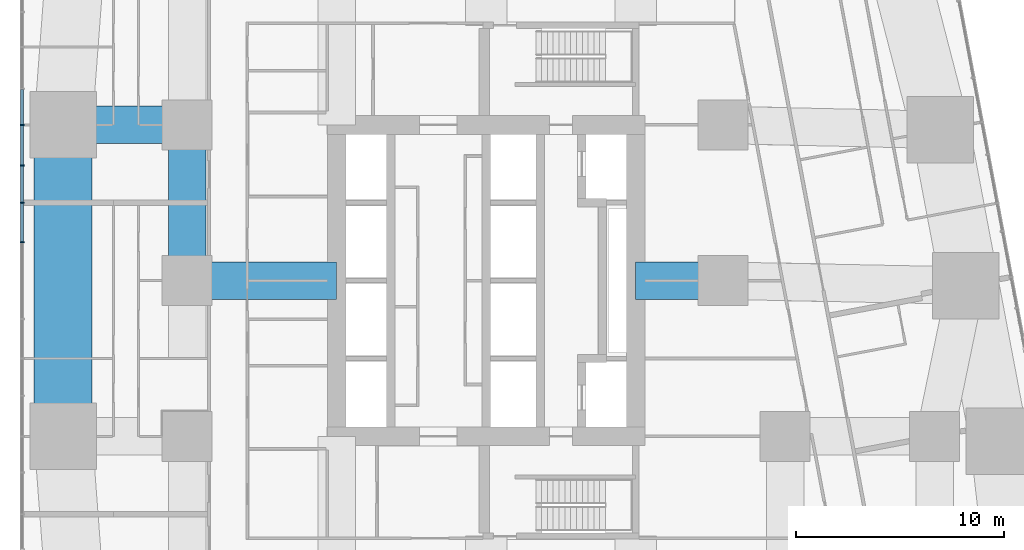
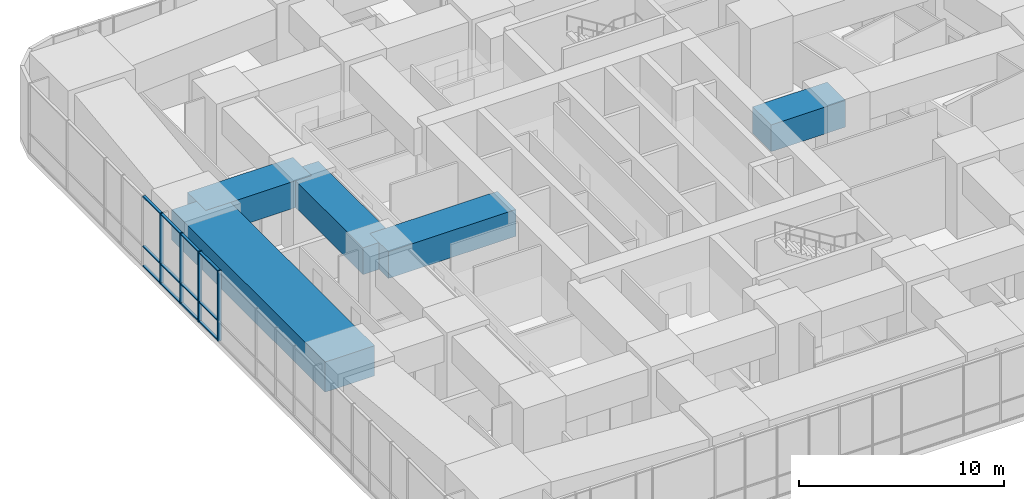
# One storey, part 4 of 22: 16 members, 5 beams, 1 element without a shape of its own.
"""IFC4 building model written with IfcOpenShell, lengths in metres."""

from ifc_helpers import new_model, si_unit, direction, frame, origin, origin_2d, place, context, subcontext, project, spatial, rectangle, extrude, material, material_profile, profile_set, type_object, element, aggregate, save


model = new_model("IFC4")

# Units and contexts
model_context = context("Model", 3, precision=1e-05, world=origin(), true_north=direction((0.0, 1.0)))
body_context = subcontext(model_context, "Body", "Model", "MODEL_VIEW")
ifc_project = project(units=[si_unit("LENGTHUNIT", "METRE"), si_unit("AREAUNIT", "SQUARE_METRE"), si_unit("VOLUMEUNIT", "CUBIC_METRE"), si_unit("PLANEANGLEUNIT", "RADIAN"), si_unit("MASSUNIT", "GRAM", prefix="KILO")], contexts=[model_context])

# Site, building, storey
site_placement = place(None, origin())
site = spatial("IfcSite", under=ifc_project, at=site_placement, CompositionType="ELEMENT")
building_placement = place(site_placement, origin())
building = spatial("IfcBuilding", under=site, at=building_placement, Name="Sheger Commons Tower", CompositionType="ELEMENT")
storey_placement = place(building_placement, frame((0.0, 0.0, 10.10009765625)))
storey = spatial("IfcBuildingStorey", under=building, at=storey_placement, Name="L02", CompositionType="ELEMENT", Elevation=10.10009765625)

# Beams
ifc_material_1 = material(Name="Concrete C50/60", Category="concrete")
ifc_material_profile_1 = material_profile(ifc_material_1, rectangle(XDim=1.800048828125, YDim=1.60009765625, at=origin_2d()), Name="RC 1800x1600")
ifc_profile_set_1 = profile_set([ifc_material_profile_1], Name="Concrete C50/60")
beam_type_1 = type_object("IfcBeamType", Name="BEAM RC 1800x1600", PredefinedType="BEAM", material=ifc_profile_set_1)
beam_1_placement = place(storey_placement, frame((7.199951171875, 22.5, 3.39990234375), z_axis=(1.0, 0.0, 0.0), x_axis=(0.0, 1.0, 0.0)))
element("IfcBeam", 1, at=beam_1_placement, inside=storey, type_object=beam_type_1, Name="Beam 2/D-3/D under L03", PredefinedType="BEAM", context=body_context, shape_type="SweptSolid", body=[
    extrude(rectangle(XDim=1.800048828125, YDim=1.60009765625, at=origin_2d()), origin(), (0.0, 0.0, 1.0), 7.199951171875),
])
beam_2_placement = place(storey_placement, frame((28.800048828125, 22.5, 3.39990234375), z_axis=(1.0, 0.0, 0.0), x_axis=(0.0, 1.0, 0.0)))
element("IfcBeam", 2, at=beam_2_placement, inside=storey, type_object=beam_type_1, Name="Beam 5/D-6-3000/D under L03", PredefinedType="BEAM", context=body_context, shape_type="SweptSolid", body=[
    extrude(rectangle(XDim=1.800048828125, YDim=1.60009765625, at=origin_2d()), origin(), (0.0, 0.0, 1.0), 4.199951171875),
])
beam_3_placement = place(storey_placement, frame((1.22509765625, 30.0, 3.39990234375), z_axis=(1.0, 0.0, 0.0), x_axis=(0.0, 1.0, 0.0)))
element("IfcBeam", 3, at=beam_3_placement, inside=storey, type_object=beam_type_1, Name="Beam 1/E-2/E under L03", PredefinedType="BEAM", context=body_context, shape_type="SweptSolid", body=[
    extrude(rectangle(XDim=1.800048828125, YDim=1.60009765625, at=origin_2d()), origin(), (0.0, 0.0, 1.0), 5.974853515625),
])
beam_4_placement = place(storey_placement, frame((7.199951171875, 22.5, 3.39990234375), z_axis=(0.0, 1.0, 0.0), x_axis=(-1.0, 0.0, 0.0)))
element("IfcBeam", 4, at=beam_4_placement, inside=storey, type_object=beam_type_1, Name="Beam 2/D-2/E under L03", PredefinedType="BEAM", context=body_context, shape_type="SweptSolid", body=[
    extrude(rectangle(XDim=1.800048828125, YDim=1.60009765625, at=origin_2d()), origin(), (0.0, 0.0, 1.0), 7.5),
])

# Curtain wall, members
ifc_material_2 = material(Name="Black aluminium curtain wall, dark tinted glazing", Category="aluminium")
curtain_wall_type = type_object("IfcCurtainWallType", Name="CURTAIN WALL CW2 HEALTH CENTRE", PredefinedType="USERDEFINED", material=ifc_material_2)
curtain_wall_placement = place(storey_placement, origin())
curtain_wall = element("IfcCurtainWall", 5, at=curtain_wall_placement, inside=storey, type_object=curtain_wall_type, Name="Curtain Wall Cw2 Health Centre W1 L02", ObjectType="STICK CURTAIN WALL", PredefinedType="USERDEFINED")
ifc_material_3 = material(Name="Black anodised aluminium", Category="aluminium")
ifc_material_profile_2 = material_profile(ifc_material_3, rectangle(XDim=0.199951171875, YDim=0.06494140625, at=origin_2d()), Name="AL 65x200")
ifc_profile_set_2 = profile_set([ifc_material_profile_2], Name="Black anodised aluminium")
member_type_1 = type_object("IfcMemberType", Name="MULLION AL 65x200", PredefinedType="MULLION", material=ifc_profile_set_2)
member_1_placement = place(storey_placement, frame((-0.75, 30.0, 0.0), z_axis=(0.0, 0.0, 1.0), x_axis=(1.0, 0.0, 0.0)))
member_1 = element("IfcMember", 6, at=member_1_placement, type_object=member_type_1, Name="CW2 mullion 6", PredefinedType="MULLION", context=body_context, shape_type="SweptSolid", body=[
    extrude(rectangle(XDim=0.199951171875, YDim=0.06494140625, at=origin_2d()), origin(), (0.0, 0.0, 1.0), 4.199951171875),
])
member_2_placement = place(storey_placement, frame((-0.75, 28.0458984375, 0.0), z_axis=(0.0, 0.0, 1.0), x_axis=(1.0, 0.0, 0.0)))
member_2 = element("IfcMember", 7, at=member_2_placement, type_object=member_type_1, Name="CW2 mullion 7", PredefinedType="MULLION", context=body_context, shape_type="SweptSolid", body=[
    extrude(rectangle(XDim=0.199951171875, YDim=0.06494140625, at=origin_2d()), origin(), (0.0, 0.0, 1.0), 4.199951171875),
])
member_3_placement = place(storey_placement, frame((-0.75, 26.25, 0.0), z_axis=(0.0, 0.0, 1.0), x_axis=(1.0, 0.0, 0.0)))
member_3 = element("IfcMember", 8, at=member_3_placement, type_object=member_type_1, Name="CW2 mullion 8", PredefinedType="MULLION", context=body_context, shape_type="SweptSolid", body=[
    extrude(rectangle(XDim=0.199951171875, YDim=0.06494140625, at=origin_2d()), origin(), (0.0, 0.0, 1.0), 4.199951171875),
])
member_4_placement = place(storey_placement, frame((-0.75, 24.34912109375, 0.0), z_axis=(0.0, 0.0, 1.0), x_axis=(1.0, 0.0, 0.0)))
member_4 = element("IfcMember", 9, at=member_4_placement, type_object=member_type_1, Name="CW2 mullion 9", PredefinedType="MULLION", context=body_context, shape_type="SweptSolid", body=[
    extrude(rectangle(XDim=0.199951171875, YDim=0.06494140625, at=origin_2d()), origin(), (0.0, 0.0, 1.0), 4.199951171875),
])

# Beam
ifc_material_4 = material(Name="Concrete C50/60", Category="concrete")
ifc_material_profile_3 = material_profile(ifc_material_4, rectangle(XDim=2.800048828125, YDim=1.800048828125, at=origin_2d()), Name="RC 2800x1800")
ifc_profile_set_3 = profile_set([ifc_material_profile_3], Name="Concrete C50/60")
beam_type_2 = type_object("IfcBeamType", Name="SPANDREL RC 2800x1800", PredefinedType="SPANDREL", material=ifc_profile_set_3)
beam_5_placement = place(storey_placement, frame((1.22509765625, 30.0, 3.2998046875), z_axis=(0.0, -1.0, 0.0), x_axis=(1.0, 0.0, 0.0)))
element("IfcBeam", 10, at=beam_5_placement, inside=storey, type_object=beam_type_2, Name="Beam 1/E-1/C under L03", PredefinedType="SPANDREL", context=body_context, shape_type="SweptSolid", body=[
    extrude(rectangle(XDim=2.800048828125, YDim=1.800048828125, at=origin_2d()), origin(), (0.0, 0.0, 1.0), 15.0),
])

# Member
ifc_material_5 = material(Name="Black anodised aluminium", Category="aluminium")
ifc_material_profile_4 = material_profile(ifc_material_5, rectangle(XDim=0.14990234375, YDim=0.06494140625, at=origin_2d()), Name="AL 65x150")
ifc_profile_set_4 = profile_set([ifc_material_profile_4], Name="Black anodised aluminium")
member_type_2 = type_object("IfcMemberType", Name="TRANSOM AL 65x150", PredefinedType="USERDEFINED", material=ifc_profile_set_4)
member_5_placement = place(storey_placement, frame((-0.75, 31.71142578125, 0.032470703125), z_axis=(0.0, -1.0, 0.0), x_axis=(1.0, 0.0, 0.0)))
member_5 = element("IfcMember", 11, at=member_5_placement, type_object=member_type_2, Name="CW2 transom 5.1", ObjectType="TRANSOM", PredefinedType="USERDEFINED", context=body_context, shape_type="SweptSolid", body=[
    extrude(rectangle(XDim=0.14990234375, YDim=0.06494140625, at=origin_2d()), origin(), (0.0, 0.0, 1.0), 1.678955078125),
])

member_6_placement = place(storey_placement, frame((-0.75, 31.71142578125, 1.199951171875), z_axis=(0.0, -1.0, 0.0), x_axis=(1.0, 0.0, 0.0)))
member_6 = element("IfcMember", 12, at=member_6_placement, type_object=member_type_2, Name="CW2 transom 5.2", ObjectType="TRANSOM", PredefinedType="USERDEFINED", context=body_context, shape_type="SweptSolid", body=[
    extrude(rectangle(XDim=0.14990234375, YDim=0.06494140625, at=origin_2d()), origin(), (0.0, 0.0, 1.0), 1.678955078125),
])

member_7_placement = place(storey_placement, frame((-0.75, 31.71142578125, 4.16748046875), z_axis=(0.0, -1.0, 0.0), x_axis=(1.0, 0.0, 0.0)))
member_7 = element("IfcMember", 13, at=member_7_placement, type_object=member_type_2, Name="CW2 transom 5.3", ObjectType="TRANSOM", PredefinedType="USERDEFINED", context=body_context, shape_type="SweptSolid", body=[
    extrude(rectangle(XDim=0.14990234375, YDim=0.06494140625, at=origin_2d()), origin(), (0.0, 0.0, 1.0), 1.678955078125),
])

member_8_placement = place(storey_placement, frame((-0.75, 29.967529296875, 0.032470703125), z_axis=(0.0, -1.0, 0.0), x_axis=(1.0, 0.0, 0.0)))
member_8 = element("IfcMember", 14, at=member_8_placement, type_object=member_type_2, Name="CW2 transom 6.1", ObjectType="TRANSOM", PredefinedType="USERDEFINED", context=body_context, shape_type="SweptSolid", body=[
    extrude(rectangle(XDim=0.14990234375, YDim=0.06494140625, at=origin_2d()), origin(), (0.0, 0.0, 1.0), 1.888916015625),
])

member_9_placement = place(storey_placement, frame((-0.75, 29.967529296875, 1.199951171875), z_axis=(0.0, -1.0, 0.0), x_axis=(1.0, 0.0, 0.0)))
member_9 = element("IfcMember", 15, at=member_9_placement, type_object=member_type_2, Name="CW2 transom 6.2", ObjectType="TRANSOM", PredefinedType="USERDEFINED", context=body_context, shape_type="SweptSolid", body=[
    extrude(rectangle(XDim=0.14990234375, YDim=0.06494140625, at=origin_2d()), origin(), (0.0, 0.0, 1.0), 1.888916015625),
])

member_10_placement = place(storey_placement, frame((-0.75, 29.967529296875, 4.16748046875), z_axis=(0.0, -1.0, 0.0), x_axis=(1.0, 0.0, 0.0)))
member_10 = element("IfcMember", 16, at=member_10_placement, type_object=member_type_2, Name="CW2 transom 6.3", ObjectType="TRANSOM", PredefinedType="USERDEFINED", context=body_context, shape_type="SweptSolid", body=[
    extrude(rectangle(XDim=0.14990234375, YDim=0.06494140625, at=origin_2d()), origin(), (0.0, 0.0, 1.0), 1.888916015625),
])

member_11_placement = place(storey_placement, frame((-0.75, 28.013427734375, 0.032470703125), z_axis=(0.0, -1.0, 0.0), x_axis=(1.0, 0.0, 0.0)))
member_11 = element("IfcMember", 17, at=member_11_placement, type_object=member_type_2, Name="CW2 transom 7.1", ObjectType="TRANSOM", PredefinedType="USERDEFINED", context=body_context, shape_type="SweptSolid", body=[
    extrude(rectangle(XDim=0.14990234375, YDim=0.06494140625, at=origin_2d()), origin(), (0.0, 0.0, 1.0), 1.73095703125),
])

member_12_placement = place(storey_placement, frame((-0.75, 28.013427734375, 1.199951171875), z_axis=(0.0, -1.0, 0.0), x_axis=(1.0, 0.0, 0.0)))
member_12 = element("IfcMember", 18, at=member_12_placement, type_object=member_type_2, Name="CW2 transom 7.2", ObjectType="TRANSOM", PredefinedType="USERDEFINED", context=body_context, shape_type="SweptSolid", body=[
    extrude(rectangle(XDim=0.14990234375, YDim=0.06494140625, at=origin_2d()), origin(), (0.0, 0.0, 1.0), 1.73095703125),
])

member_13_placement = place(storey_placement, frame((-0.75, 28.013427734375, 4.16748046875), z_axis=(0.0, -1.0, 0.0), x_axis=(1.0, 0.0, 0.0)))
member_13 = element("IfcMember", 19, at=member_13_placement, type_object=member_type_2, Name="CW2 transom 7.3", ObjectType="TRANSOM", PredefinedType="USERDEFINED", context=body_context, shape_type="SweptSolid", body=[
    extrude(rectangle(XDim=0.14990234375, YDim=0.06494140625, at=origin_2d()), origin(), (0.0, 0.0, 1.0), 1.73095703125),
])

member_14_placement = place(storey_placement, frame((-0.75, 26.217529296875, 0.032470703125), z_axis=(0.0, -1.0, 0.0), x_axis=(1.0, 0.0, 0.0)))
member_14 = element("IfcMember", 20, at=member_14_placement, type_object=member_type_2, Name="CW2 transom 8.1", ObjectType="TRANSOM", PredefinedType="USERDEFINED", context=body_context, shape_type="SweptSolid", body=[
    extrude(rectangle(XDim=0.14990234375, YDim=0.06494140625, at=origin_2d()), origin(), (0.0, 0.0, 1.0), 1.8359375),
])

member_15_placement = place(storey_placement, frame((-0.75, 26.217529296875, 1.199951171875), z_axis=(0.0, -1.0, 0.0), x_axis=(1.0, 0.0, 0.0)))
member_15 = element("IfcMember", 21, at=member_15_placement, type_object=member_type_2, Name="CW2 transom 8.2", ObjectType="TRANSOM", PredefinedType="USERDEFINED", context=body_context, shape_type="SweptSolid", body=[
    extrude(rectangle(XDim=0.14990234375, YDim=0.06494140625, at=origin_2d()), origin(), (0.0, 0.0, 1.0), 1.8359375),
])

member_16_placement = place(storey_placement, frame((-0.75, 26.217529296875, 4.16748046875), z_axis=(0.0, -1.0, 0.0), x_axis=(1.0, 0.0, 0.0)))
member_16 = element("IfcMember", 22, at=member_16_placement, type_object=member_type_2, Name="CW2 transom 8.3", ObjectType="TRANSOM", PredefinedType="USERDEFINED", context=body_context, shape_type="SweptSolid", body=[
    extrude(rectangle(XDim=0.14990234375, YDim=0.06494140625, at=origin_2d()), origin(), (0.0, 0.0, 1.0), 1.8359375),
])

aggregate(curtain_wall, [member_1, member_2, member_3, member_4, member_5, member_6, member_7, member_8, member_9, member_10, member_11, member_12, member_13, member_14, member_15, member_16])

save(model, "model.ifc")
